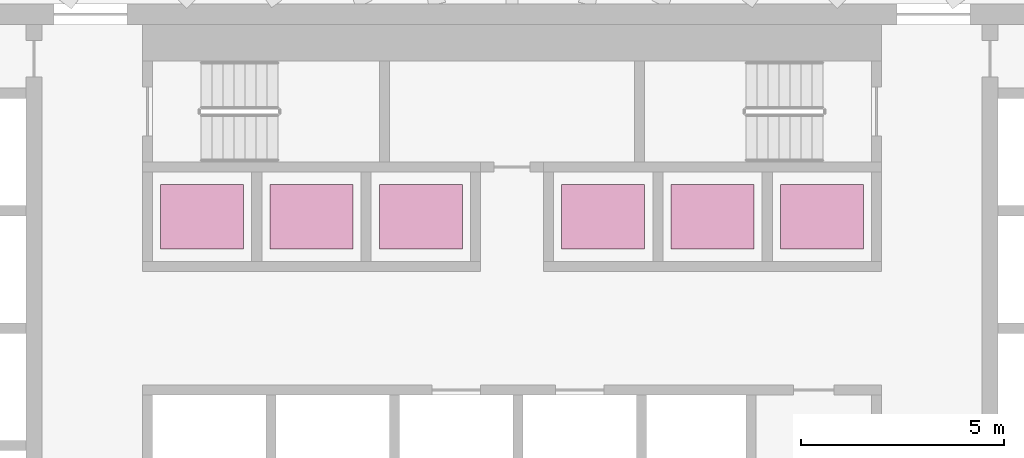
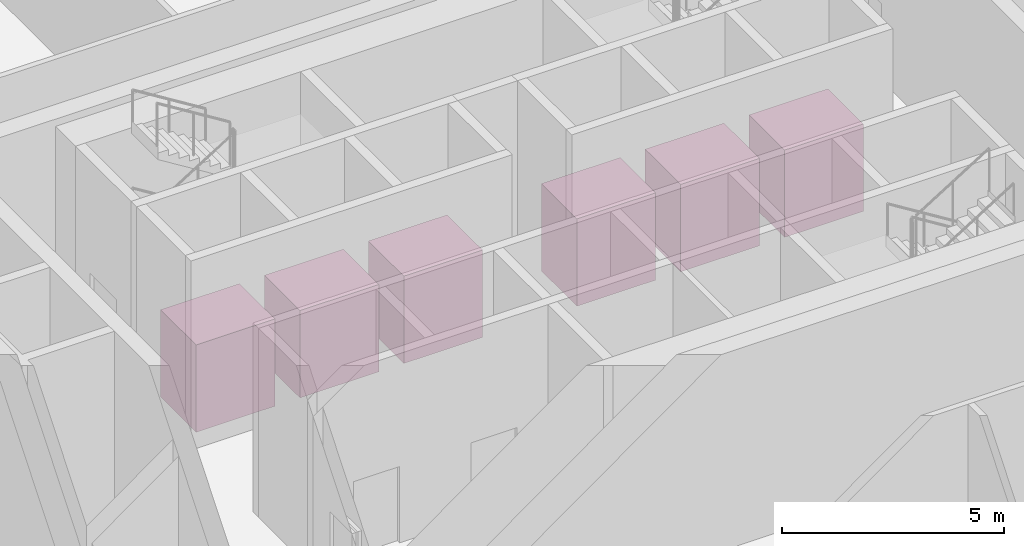
# One storey, part 18 of 18: 6 transport elements.
"""IFC4 building model written with IfcOpenShell, lengths in metres."""

from ifc_helpers import new_model, si_unit, direction, frame, origin, origin_2d, place, context, subcontext, project, spatial, rectangle, extrude, material, type_object, element, save


model = new_model("IFC4")

# Units and contexts
model_context = context("Model", 3, precision=1e-05, world=origin(), true_north=direction((0.0, 1.0)))
body_context = subcontext(model_context, "Body", "Model", "MODEL_VIEW")
ifc_project = project(units=[si_unit("LENGTHUNIT", "METRE"), si_unit("AREAUNIT", "SQUARE_METRE"), si_unit("VOLUMEUNIT", "CUBIC_METRE"), si_unit("PLANEANGLEUNIT", "RADIAN"), si_unit("MASSUNIT", "GRAM", prefix="KILO")], contexts=[model_context])

# Site, building, storey
site_placement = place(None, origin())
site = spatial("IfcSite", under=ifc_project, at=site_placement, CompositionType="ELEMENT")
building_placement = place(site_placement, origin())
building = spatial("IfcBuilding", under=site, at=building_placement, Name="Sahrelin Media Tower", CompositionType="ELEMENT")
storey_placement = place(building_placement, frame((0.0, 0.0, 197.60009765625)))
storey = spatial("IfcBuildingStorey", under=building, at=storey_placement, Name="L42", CompositionType="ELEMENT", Elevation=197.60009765625)

# Transport elements
ifc_material = material(Name="Stainless steel car", Category="steel")
transport_element_type = type_object("IfcTransportElementType", Name="Lift car 2050 x 1600 1600 kg", PredefinedType="ELEVATOR", material=ifc_material)
for number, where, z_axis, x_axis, name in (
    (1, (-7.64990234375, 2.75, 0.0), (0.0, 0.0, 1.0), (1.0, 0.0, 0.0), "Lift HR1"),
    (2, (-4.949951171875, 2.75, 0.0), (0.0, 0.0, 1.0), (1.0, 0.0, 0.0), "Lift HR2"),
    (3, (-2.25, 2.75, 0.0), (0.0, 0.0, 1.0), (1.0, 0.0, 0.0), "Lift HR3"),
    (4, (2.25, 2.75, 0.0), (0.0, 0.0, 1.0), (1.0, 0.0, 0.0), "Lift HR4"),
    (5, (4.949951171875, 2.75, 0.0), (0.0, 0.0, 1.0), (1.0, 0.0, 0.0), "Lift HR5"),
    (6, (7.64990234375, 2.75, 0.0), (0.0, 0.0, 1.0), (1.0, 0.0, 0.0), "Lift HR6"),
):
    element("IfcTransportElement", number, at=place(storey_placement, frame(where, z_axis=z_axis, x_axis=x_axis)), inside=storey, type_object=transport_element_type, Name=name, PredefinedType="ELEVATOR", context=body_context, shape_type="SweptSolid", body=[
        extrude(rectangle(XDim=2.050048828125, YDim=1.60009765625, at=origin_2d()), origin(), (0.0, 0.0, 1.0), 2.39990234375),
    ])

save(model, "model.ifc")
